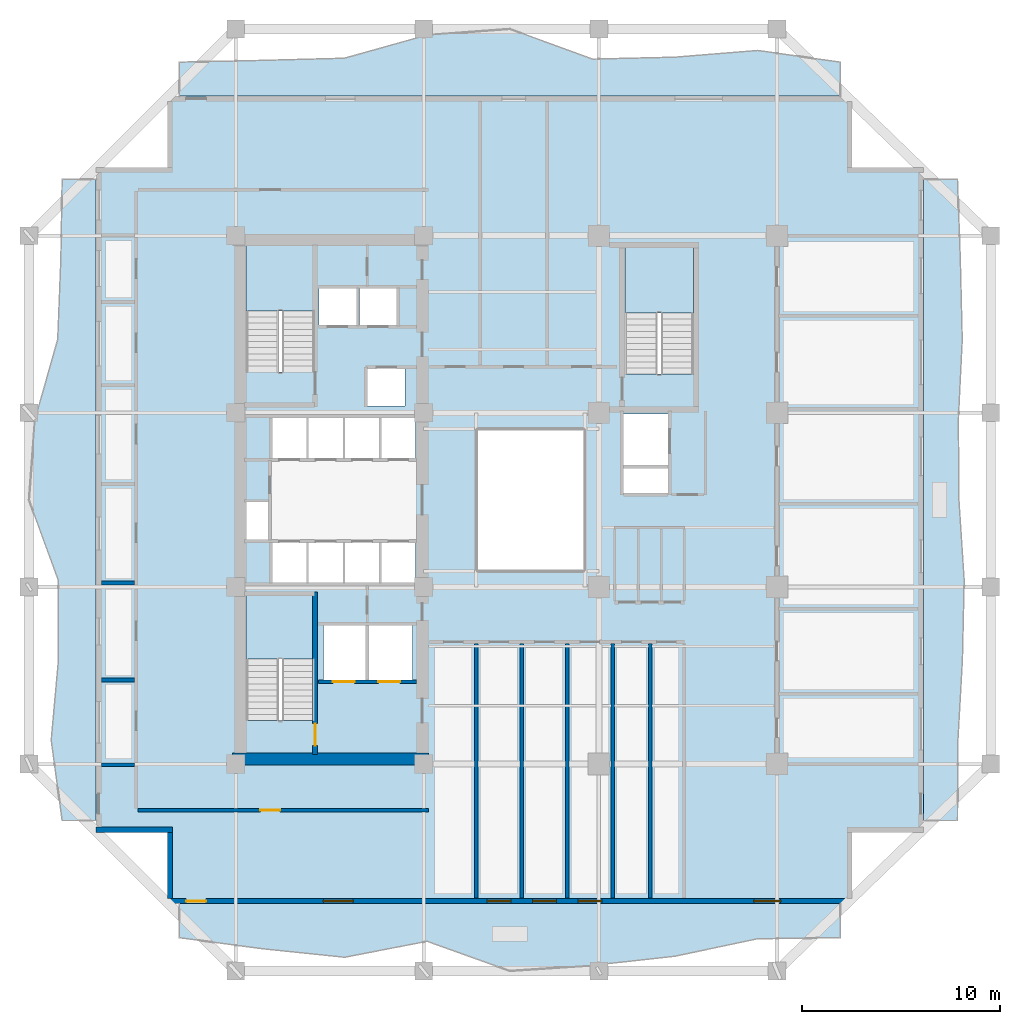
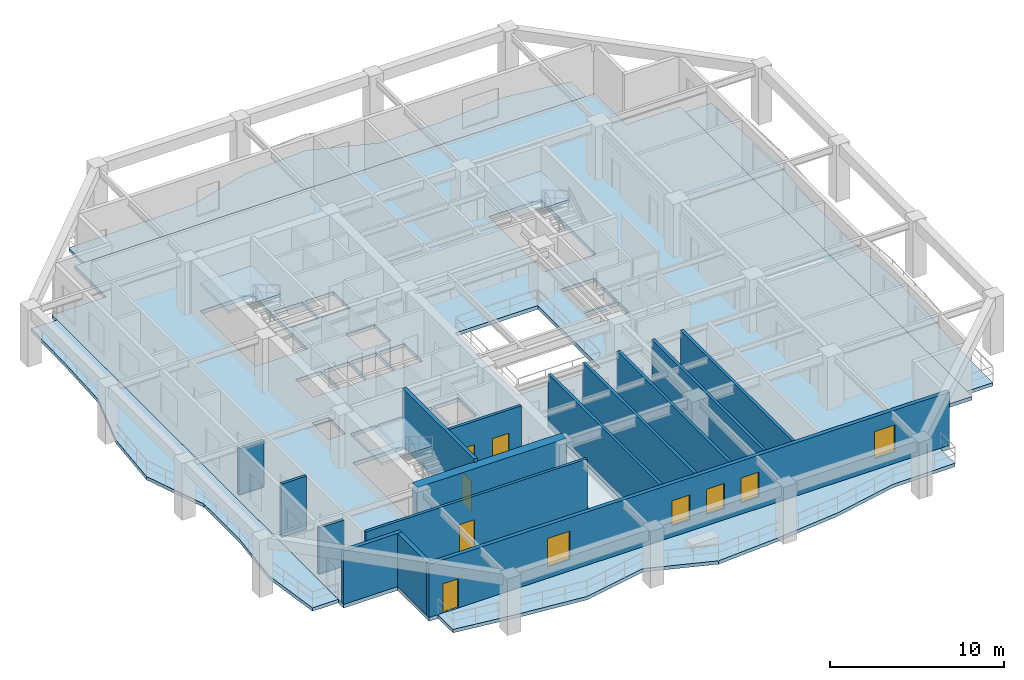
# One storey, part 2 of 11: 15 walls, 8 slabs, 5 doors, 5 windows, 10 openings, 3 elements without a shape of their own.
"""IFC4 building model written with IfcOpenShell, lengths in metres."""

from ifc_helpers import new_model, si_unit, direction, frame, frame_2d, origin, place, context, subcontext, project, spatial, polyline, rectangle, outline, extrude, material, layer, layer_set, type_object, element, fill, aggregate, save


model = new_model("IFC4")

# Units and contexts
model_context = context("Model", 3, precision=1e-05, world=origin(), true_north=direction((0.0, 1.0)))
body_context = subcontext(model_context, "Body", "Model", "MODEL_VIEW")
ifc_project = project(units=[si_unit("LENGTHUNIT", "METRE"), si_unit("AREAUNIT", "SQUARE_METRE"), si_unit("VOLUMEUNIT", "CUBIC_METRE"), si_unit("PLANEANGLEUNIT", "RADIAN"), si_unit("MASSUNIT", "GRAM", prefix="KILO")], contexts=[model_context])

# Site, building, storey
site_placement = place(None, origin())
site = spatial("IfcSite", under=ifc_project, at=site_placement, CompositionType="ELEMENT")
building_placement = place(site_placement, origin())
building = spatial("IfcBuilding", under=site, at=building_placement, Name="Kundavana Baori Tower", CompositionType="ELEMENT")
storey_placement = place(building_placement, frame((0.0, 0.0, 82.0)))
storey = spatial("IfcBuildingStorey", under=building, at=storey_placement, Name="L19", CompositionType="ELEMENT", Elevation=82.0)

# Slab
ifc_material_1 = material(Name="Concrete C40/50", Category="concrete")
ifc_layer_1 = layer(ifc_material_1, 0.260009765625, Name="SLB-FLR-260")
ifc_layer_set_1 = layer_set([ifc_layer_1], Name="Concrete C40/50")
slab_type_1 = type_object("IfcSlabType", Name="SLB-FLR-260", PredefinedType="FLOOR", material=ifc_layer_set_1)
slab_1_placement = place(storey_placement, frame((0.0, 0.0, -0.260009765625)))
element("IfcSlab", 1, at=slab_1_placement, inside=storey, type_object=slab_type_1, Name="L19 Structural Floor Slab", PredefinedType="FLOOR", context=body_context, shape_type="SweptSolid", body=[
    extrude(outline(polyline([(12.0, 8.199951171875), (46.60009765625, 8.199951171875), (46.60009765625, 11.800048828125), (50.199951171875, 11.800048828125), (50.199951171875, 45.39990234375), (46.60009765625, 45.39990234375), (46.60009765625, 49.0), (12.0, 49.0), (12.0, 45.39990234375), (8.39990234375, 45.39990234375), (8.39990234375, 11.800048828125), (12.0, 11.800048828125), (12.0, 8.199951171875)]), holes=[polyline([(19.43994140625, 17.4619140625), (19.43994140625, 23.85009765625), (15.97998046875, 23.85009765625), (15.97998046875, 17.4619140625), (19.43994140625, 17.4619140625)]), polyline([(19.43994140625, 35.06201171875), (19.43994140625, 41.449951171875), (15.97998046875, 41.449951171875), (15.97998046875, 35.06201171875), (19.43994140625, 35.06201171875)]), polyline([(38.580078125, 34.9619140625), (38.580078125, 41.35009765625), (35.1201171875, 41.35009765625), (35.1201171875, 34.9619140625), (38.580078125, 34.9619140625)]), polyline([(17.300048828125, 24.39990234375), (19.02001953125, 24.39990234375), (19.02001953125, 26.449951171875), (17.300048828125, 26.449951171875), (17.300048828125, 24.39990234375)]), polyline([(19.139892578125, 24.39990234375), (20.860107421875, 24.39990234375), (20.860107421875, 26.449951171875), (19.139892578125, 26.449951171875), (19.139892578125, 24.39990234375)]), polyline([(20.97998046875, 24.39990234375), (22.699951171875, 24.39990234375), (22.699951171875, 26.449951171875), (20.97998046875, 26.449951171875), (20.97998046875, 24.39990234375)]), polyline([(22.820068359375, 24.39990234375), (24.5400390625, 24.39990234375), (24.5400390625, 26.449951171875), (22.820068359375, 26.449951171875), (22.820068359375, 24.39990234375)]), polyline([(17.300048828125, 30.699951171875), (19.02001953125, 30.699951171875), (19.02001953125, 32.75), (17.300048828125, 32.75), (17.300048828125, 30.699951171875)]), polyline([(19.139892578125, 30.699951171875), (20.860107421875, 30.699951171875), (20.860107421875, 32.75), (19.139892578125, 32.75), (19.139892578125, 30.699951171875)]), polyline([(20.97998046875, 30.699951171875), (22.699951171875, 30.699951171875), (22.699951171875, 32.75), (20.97998046875, 32.75), (20.97998046875, 30.699951171875)]), polyline([(22.820068359375, 30.699951171875), (24.5400390625, 30.699951171875), (24.5400390625, 32.75), (22.820068359375, 32.75), (22.820068359375, 30.699951171875)]), polyline([(19.64990234375, 37.39990234375), (21.550048828125, 37.39990234375), (21.550048828125, 39.300048828125), (19.64990234375, 39.300048828125), (19.64990234375, 37.39990234375)]), polyline([(21.699951171875, 37.39990234375), (23.60009765625, 37.39990234375), (23.60009765625, 39.300048828125), (21.699951171875, 39.300048828125), (21.699951171875, 37.39990234375)]), polyline([(22.10009765625, 33.35009765625), (24.0, 33.35009765625), (24.0, 35.25), (22.10009765625, 35.25), (22.10009765625, 33.35009765625)]), polyline([(19.8798828125, 19.5), (22.02001953125, 19.5), (22.02001953125, 22.25), (19.8798828125, 22.25), (19.8798828125, 19.5)]), polyline([(22.179931640625, 19.5), (24.3798828125, 19.5), (24.3798828125, 22.25), (22.179931640625, 22.25), (22.179931640625, 19.5)]), polyline([(35.050048828125, 30.35009765625), (37.300048828125, 30.35009765625), (37.300048828125, 32.949951171875), (35.050048828125, 32.949951171875), (35.050048828125, 30.35009765625)]), polyline([(15.949951171875, 26.60009765625), (17.080078125, 26.60009765625), (17.080078125, 28.5), (15.949951171875, 28.5), (15.949951171875, 26.60009765625)]), polyline([(35.050048828125, 28.949951171875), (37.300048828125, 28.949951171875), (37.300048828125, 30.199951171875), (35.050048828125, 30.199951171875), (35.050048828125, 28.949951171875)]), polyline([(27.60009765625, 25.0), (33.10009765625, 25.0), (33.10009765625, 32.199951171875), (27.60009765625, 32.199951171875), (27.60009765625, 25.0)])]), origin(), (0.0, 0.0, 1.0), 0.260009765625),
])

# Stair, slab
ifc_material_2 = material(Name="Concrete C40/50", Category="concrete")
stair_type = type_object("IfcStairType", Name="STR-DOG-1650", PredefinedType="HALF_TURN_STAIR", material=ifc_material_2)
stair_1_placement = place(storey_placement, origin())
stair_1 = element("IfcStair", 2, at=stair_1_placement, inside=storey, type_object=stair_type, Name="L19 Protected Exit Stair ST1", PredefinedType="HALF_TURN_STAIR")
ifc_material_3 = material(Name="Concrete C40/50", Category="concrete")
ifc_layer_2 = layer(ifc_material_3, 0.199951171875, Name="SLB-LND-200")
ifc_layer_set_2 = layer_set([ifc_layer_2], Name="Concrete C40/50")
slab_type_2 = type_object("IfcSlabType", Name="SLB-LND-200", PredefinedType="LANDING", material=ifc_layer_set_2)
slab_2_placement = place(storey_placement, frame((0.0, 0.0, 1.800048828125)))
slab_2 = element("IfcSlab", 3, at=slab_2_placement, type_object=slab_type_2, Name="ST1 landing 1", PredefinedType="LANDING", context=body_context, shape_type="SweptSolid", body=[
    extrude(outline(polyline([(19.43994140625, 20.550048828125), (19.43994140625, 23.85009765625), (15.97998046875, 23.85009765625), (15.97998046875, 20.550048828125), (19.43994140625, 20.550048828125)])), origin(), (0.0, 0.0, 1.0), 0.199951171875),
])
aggregate(stair_1, [slab_2])

stair_2_placement = place(storey_placement, origin())
stair_2 = element("IfcStair", 4, at=stair_2_placement, inside=storey, type_object=stair_type, Name="L19 Protected Exit Stair ST2", PredefinedType="HALF_TURN_STAIR")
slab_3_placement = place(storey_placement, frame((0.0, 0.0, 1.800048828125)))
slab_3 = element("IfcSlab", 5, at=slab_3_placement, type_object=slab_type_2, Name="ST2 landing 1", PredefinedType="LANDING", context=body_context, shape_type="SweptSolid", body=[
    extrude(outline(polyline([(19.43994140625, 38.14990234375), (19.43994140625, 41.449951171875), (15.97998046875, 41.449951171875), (15.97998046875, 38.14990234375), (19.43994140625, 38.14990234375)])), origin(), (0.0, 0.0, 1.0), 0.199951171875),
])
aggregate(stair_2, [slab_3])

stair_3_placement = place(storey_placement, origin())
stair_3 = element("IfcStair", 6, at=stair_3_placement, inside=storey, type_object=stair_type, Name="L19 Protected Exit Stair ST3", PredefinedType="HALF_TURN_STAIR")
slab_4_placement = place(storey_placement, frame((0.0, 0.0, 1.800048828125)))
slab_4 = element("IfcSlab", 7, at=slab_4_placement, type_object=slab_type_2, Name="ST3 landing 1", PredefinedType="LANDING", context=body_context, shape_type="SweptSolid", body=[
    extrude(outline(polyline([(38.580078125, 38.050048828125), (38.580078125, 41.35009765625), (35.1201171875, 41.35009765625), (35.1201171875, 38.050048828125), (38.580078125, 38.050048828125)])), origin(), (0.0, 0.0, 1.0), 0.199951171875),
])
aggregate(stair_3, [slab_4])

# Slabs
ifc_material_4 = material(Name="Concrete C40/50", Category="concrete")
ifc_layer_3 = layer(ifc_material_4, 0.239990234375, Name="SLB-LOG-240")
ifc_layer_set_3 = layer_set([ifc_layer_3], Name="Concrete C40/50")
slab_type_3 = type_object("IfcSlabType", Name="SLB-LOG-240", PredefinedType="FLOOR", material=ifc_layer_set_3)
slab_5_placement = place(storey_placement, frame((0.0, 0.0, -0.239990234375)))
element("IfcSlab", 8, at=slab_5_placement, inside=storey, type_object=slab_type_3, Name="L19 Planted Loggia Balcony Slab S", PredefinedType="FLOOR", context=body_context, shape_type="SweptSolid", body=[
    extrude(outline(polyline([(12.60009765625, 8.199951171875), (46.0, 8.199951171875), (46.0, 6.47998046875), (41.824951171875, 6.427001953125), (37.64990234375, 5.5439453125), (33.47509765625, 5.08203125), (29.300048828125, 4.800048828125), (25.125, 6.298095703125), (20.949951171875, 5.490966796875), (16.77490234375, 5.925048828125), (12.60009765625, 6.47998046875), (12.60009765625, 8.199951171875)])), origin(), (0.0, 0.0, 1.0), 0.239990234375),
])
slab_6_placement = place(storey_placement, frame((0.0, 0.0, -0.239990234375)))
element("IfcSlab", 9, at=slab_6_placement, inside=storey, type_object=slab_type_3, Name="L19 Planted Loggia Balcony Slab E", PredefinedType="FLOOR", context=body_context, shape_type="SweptSolid", body=[
    extrude(outline(polyline([(50.199951171875, 12.39990234375), (50.199951171875, 44.800048828125), (51.919921875, 44.800048828125), (52.06396484375, 40.75), (52.160888671875, 36.699951171875), (51.964111328125, 32.64990234375), (51.992919921875, 28.60009765625), (52.259033203125, 24.550048828125), (52.1689453125, 20.5), (51.94189453125, 16.449951171875), (51.919921875, 12.39990234375), (50.199951171875, 12.39990234375)])), origin(), (0.0, 0.0, 1.0), 0.239990234375),
])
slab_7_placement = place(storey_placement, frame((0.0, 0.0, -0.239990234375)))
element("IfcSlab", 10, at=slab_7_placement, inside=storey, type_object=slab_type_3, Name="L19 Planted Loggia Balcony Slab N", PredefinedType="FLOOR", context=body_context, shape_type="SweptSolid", body=[
    extrude(outline(polyline([(46.0, 49.0), (12.60009765625, 49.0), (12.60009765625, 50.719970703125), (16.77490234375, 50.80810546875), (20.949951171875, 50.9189453125), (25.125, 52.090087890625), (29.300048828125, 52.39990234375), (33.47509765625, 50.8740234375), (37.64990234375, 50.971923828125), (41.824951171875, 51.31005859375), (46.0, 50.719970703125), (46.0, 49.0)])), origin(), (0.0, 0.0, 1.0), 0.239990234375),
])
slab_8_placement = place(storey_placement, frame((0.0, 0.0, -0.239990234375)))
element("IfcSlab", 11, at=slab_8_placement, inside=storey, type_object=slab_type_3, Name="L19 Planted Loggia Balcony Slab W", PredefinedType="FLOOR", context=body_context, shape_type="SweptSolid", body=[
    extrude(outline(polyline([(8.39990234375, 44.800048828125), (8.39990234375, 12.39990234375), (6.679931640625, 12.39990234375), (6.126953125, 16.449951171875), (6.489990234375, 20.5), (6.48291015625, 24.550048828125), (5.0, 28.60009765625), (5.304931640625, 32.64990234375), (6.455078125, 36.699951171875), (6.614013671875, 40.75), (6.679931640625, 44.800048828125), (8.39990234375, 44.800048828125)])), origin(), (0.0, 0.0, 1.0), 0.239990234375),
])

# Wall, opening, door
ifc_material_5 = material(Name="Concrete C50/60", Category="concrete")
ifc_layer_4 = layer(ifc_material_5, 0.39990234375, Name="WL-CORE-400")
ifc_layer_set_4 = layer_set([ifc_layer_4], Name="Concrete C50/60")
wall_type_1 = type_object("IfcWallType", Name="WL-CORE-400", PredefinedType="SHEAR", material=ifc_layer_set_4)
wall_1_placement = place(storey_placement, frame((19.4599609375, 15.739990234375, 0.0), z_axis=(0.0, 0.0, 1.0), x_axis=(0.0, 1.0, 0.0)))
wall_1 = element("IfcWall", 12, at=wall_1_placement, inside=storey, type_object=wall_type_1, Name="WL-L19-ST1-E", PredefinedType="SHEAR", context=body_context, shape_type="SweptSolid", body=[
    extrude(rectangle(XDim=8.199951171875, YDim=0.239990234375, at=frame_2d((4.10009765625, 0.0))), origin(), (0.0, 0.0, 1.0), 4.0),
])
opening_1_placement = place(wall_1_placement, frame((0.449951171875, 0.0, 0.0)))
opening_1 = element("IfcOpeningElement", 13, at=opening_1_placement, cuts=wall_1, Name="Opening FD-110", PredefinedType="OPENING", context=body_context, shape_type="SweptSolid", body=[
    extrude(rectangle(XDim=1.10009765625, YDim=2.10009765625, at=frame_2d((0.550048828125, 1.050048828125))), frame((0.0, 0.1298828125, 0.0), z_axis=(0.0, -1.0, 0.0), x_axis=(1.0, 0.0, 0.0)), (0.0, 0.0, 1.0), 0.260009765625),
])
ifc_material_6 = material(Name="Galvanised Steel Fire-Rated Door Leaf", Category="steel")
door_type_1 = type_object("IfcDoorType", Name="DR-FD120-1100", OperationType="NOTDEFINED", PredefinedType="DOOR", material=ifc_material_6)
door_1_placement = place(opening_1_placement, origin())
door_1 = element("IfcDoor", 14, at=door_1_placement, inside=storey, type_object=door_type_1, Name="DR-L19-ST1", OperationType="SINGLE_SWING_LEFT", OverallHeight=2.10009765625, OverallWidth=1.10009765625, PredefinedType="DOOR", context=body_context, shape_type="SweptSolid", body=[
    extrude(rectangle(XDim=1.10009765625, YDim=2.10009765625, at=frame_2d((0.550048828125, 1.050048828125))), frame((0.0, 0.02490234375, 0.0), z_axis=(0.0, -1.0, 0.0), x_axis=(1.0, 0.0, 0.0)), (0.0, 0.0, 1.0), 0.050048828125),
])
fill(opening_1, door_1)

# Wall
ifc_material_7 = material(Name="Concrete C60/75", Category="concrete")
ifc_layer_5 = layer(ifc_material_7, 0.60009765625, Name="WL-CORE-600")
ifc_layer_set_5 = layer_set([ifc_layer_5], Name="Concrete C60/75")
wall_type_2 = type_object("IfcWallType", Name="WL-CORE-600", PredefinedType="SHEAR", material=ifc_layer_set_5)
wall_2_placement = place(storey_placement, frame((15.300048828125, 15.510009765625, 0.0), z_axis=(0.0, 0.0, 1.0), x_axis=(1.0, 0.0, 0.0)))
element("IfcWall", 15, at=wall_2_placement, inside=storey, type_object=wall_type_2, Name="L19 Offset Core South Shear Wall", PredefinedType="SHEAR", context=body_context, shape_type="SweptSolid", body=[
    extrude(rectangle(XDim=9.8798828125, YDim=0.60009765625, at=frame_2d((4.93994140625, 0.0))), origin(), (0.0, 0.0, 1.0), 3.739990234375),
])

# Wall, openings, door, windows
ifc_material_8 = material(Name="Kiln-Fired Terracotta Brick-Slip Masonry on Concrete C40/50", Category="masonry")
ifc_layer_6 = layer(ifc_material_8, 0.260009765625, Name="WL-EXT-BRK-260")
ifc_layer_set_6 = layer_set([ifc_layer_6], Name="Kiln-Fired Terracotta Brick-Slip Masonry on Concrete C40/50")
wall_type_3 = type_object("IfcWallType", Name="WL-EXT-BRK-260", PredefinedType="SOLIDWALL", material=ifc_layer_set_6)
wall_3_placement = place(storey_placement, frame((12.0, 8.330078125, 0.0), z_axis=(0.0, 0.0, 1.0), x_axis=(1.0, 0.0, 0.0)))
wall_3 = element("IfcWall", 16, at=wall_3_placement, inside=storey, type_object=wall_type_3, Name="L19 Exterior Insulated Facade Wall 01", PredefinedType="SOLIDWALL", context=body_context, shape_type="SweptSolid", body=[
    extrude(rectangle(XDim=34.60009765625, YDim=0.260009765625, at=frame_2d((17.300048828125, 0.0))), origin(), (0.0, 0.0, 1.0), 3.739990234375),
])
opening_2_placement = place(wall_3_placement, frame((0.949951171875, 0.0, 0.0)))
opening_2 = element("IfcOpeningElement", 17, at=opening_2_placement, cuts=wall_3, Name="Opening BD-1", PredefinedType="OPENING", context=body_context, shape_type="SweptSolid", body=[
    extrude(rectangle(XDim=1.0, YDim=2.050048828125, at=frame_2d((0.5, 1.02490234375))), frame((0.0, 0.14013671875, 0.0), z_axis=(0.0, -1.0, 0.0), x_axis=(1.0, 0.0, 0.0)), (0.0, 0.0, 1.0), 0.280029296875),
])
opening_3_placement = place(wall_3_placement, frame((7.8798828125, 0.0, 0.800048828125)))
opening_3 = element("IfcOpeningElement", 18, at=opening_3_placement, cuts=wall_3, Name="Opening W-02", PredefinedType="OPENING", context=body_context, shape_type="SweptSolid", body=[
    extrude(rectangle(XDim=1.5, YDim=2.0, at=frame_2d((0.75, 1.0))), frame((0.0, 0.14013671875, 0.0), z_axis=(0.0, -1.0, 0.0), x_axis=(1.0, 0.0, 0.0)), (0.0, 0.0, 1.0), 0.280029296875),
])
opening_4_placement = place(wall_3_placement, frame((16.14990234375, 0.0, 0.800048828125)))
opening_4 = element("IfcOpeningElement", 19, at=opening_4_placement, cuts=wall_3, Name="Opening W-03", PredefinedType="OPENING", context=body_context, shape_type="SweptSolid", body=[
    extrude(rectangle(XDim=1.199951171875, YDim=1.75, at=frame_2d((0.60009765625, 0.875))), frame((0.0, 0.14013671875, 0.0), z_axis=(0.0, -1.0, 0.0), x_axis=(1.0, 0.0, 0.0)), (0.0, 0.0, 1.0), 0.280029296875),
])
opening_5_placement = place(wall_3_placement, frame((18.449951171875, 0.0, 0.800048828125)))
opening_5 = element("IfcOpeningElement", 20, at=opening_5_placement, cuts=wall_3, Name="Opening W-03", PredefinedType="OPENING", context=body_context, shape_type="SweptSolid", body=[
    extrude(rectangle(XDim=1.199951171875, YDim=1.75, at=frame_2d((0.60009765625, 0.875))), frame((0.0, 0.14013671875, 0.0), z_axis=(0.0, -1.0, 0.0), x_axis=(1.0, 0.0, 0.0)), (0.0, 0.0, 1.0), 0.280029296875),
])
opening_6_placement = place(wall_3_placement, frame((20.75, 0.0, 0.800048828125)))
opening_6 = element("IfcOpeningElement", 21, at=opening_6_placement, cuts=wall_3, Name="Opening W-03", PredefinedType="OPENING", context=body_context, shape_type="SweptSolid", body=[
    extrude(rectangle(XDim=1.199951171875, YDim=1.75, at=frame_2d((0.60009765625, 0.875))), frame((0.0, 0.14013671875, 0.0), z_axis=(0.0, -1.0, 0.0), x_axis=(1.0, 0.0, 0.0)), (0.0, 0.0, 1.0), 0.280029296875),
])
opening_7_placement = place(wall_3_placement, frame((29.6298828125, 0.0, 0.800048828125)))
opening_7 = element("IfcOpeningElement", 22, at=opening_7_placement, cuts=wall_3, Name="Opening W-07", PredefinedType="OPENING", context=body_context, shape_type="SweptSolid", body=[
    extrude(rectangle(XDim=1.35009765625, YDim=1.89990234375, at=frame_2d((0.675048828125, 0.949951171875))), frame((0.0, 0.14013671875, 0.0), z_axis=(0.0, -1.0, 0.0), x_axis=(1.0, 0.0, 0.0)), (0.0, 0.0, 1.0), 0.280029296875),
])
ifc_material_9 = material(Name="Architectural Patinated Bronze Metalwork")
door_type_2 = type_object("IfcDoorType", Name="DR-EXT-LOG-1000", OperationType="NOTDEFINED", PredefinedType="DOOR", material=ifc_material_9)
door_2_placement = place(opening_2_placement, frame((1.0, 0.0, 0.0), z_axis=(0.0, 0.0, 1.0), x_axis=(-1.0, 0.0, 0.0)))
door_2 = element("IfcDoor", 23, at=door_2_placement, inside=storey, type_object=door_type_2, Name="L19 Loggia Balcony Access Door S", OperationType="SINGLE_SWING_LEFT", OverallHeight=2.050048828125, OverallWidth=1.0, PredefinedType="DOOR", context=body_context, shape_type="SweptSolid", body=[
    extrude(rectangle(XDim=1.0, YDim=2.050048828125, at=frame_2d((0.5, 1.02490234375))), frame((0.0, 0.02490234375, 0.0), z_axis=(0.0, -1.0, 0.0), x_axis=(1.0, 0.0, 0.0)), (0.0, 0.0, 1.0), 0.050048828125),
])
fill(opening_2, door_2)
ifc_material_10 = material(Name="Double-Glazed Solar-Control Low-E Insulated Glass", Category="glass")
window_type_1 = type_object("IfcWindowType", Name="WIN-LOG-1200x1750", PartitioningType="SINGLE_PANEL", PredefinedType="WINDOW", material=ifc_material_10)
window_1_placement = place(opening_4_placement, origin())
window_1 = element("IfcWindow", 24, at=window_1_placement, inside=storey, type_object=window_type_1, Name="L19 Recessed Loggia Window S-2", OverallHeight=1.75, OverallWidth=1.199951171875, PartitioningType="SINGLE_PANEL", PredefinedType="WINDOW", context=body_context, shape_type="SweptSolid", body=[
    extrude(rectangle(XDim=1.199951171875, YDim=1.75, at=frame_2d((0.60009765625, 0.875))), frame((0.0, 0.030029296875, 0.0), z_axis=(0.0, -1.0, 0.0), x_axis=(1.0, 0.0, 0.0)), (0.0, 0.0, 1.0), 0.06005859375),
])
fill(opening_4, window_1)
window_2_placement = place(opening_5_placement, origin())
window_2 = element("IfcWindow", 25, at=window_2_placement, inside=storey, type_object=window_type_1, Name="L19 Recessed Loggia Window S-3", OverallHeight=1.75, OverallWidth=1.199951171875, PartitioningType="SINGLE_PANEL", PredefinedType="WINDOW", context=body_context, shape_type="SweptSolid", body=[
    extrude(rectangle(XDim=1.199951171875, YDim=1.75, at=frame_2d((0.60009765625, 0.875))), frame((0.0, 0.030029296875, 0.0), z_axis=(0.0, -1.0, 0.0), x_axis=(1.0, 0.0, 0.0)), (0.0, 0.0, 1.0), 0.06005859375),
])
fill(opening_5, window_2)
window_3_placement = place(opening_6_placement, origin())
window_3 = element("IfcWindow", 26, at=window_3_placement, inside=storey, type_object=window_type_1, Name="L19 Recessed Loggia Window S-4", OverallHeight=1.75, OverallWidth=1.199951171875, PartitioningType="SINGLE_PANEL", PredefinedType="WINDOW", context=body_context, shape_type="SweptSolid", body=[
    extrude(rectangle(XDim=1.199951171875, YDim=1.75, at=frame_2d((0.60009765625, 0.875))), frame((0.0, 0.030029296875, 0.0), z_axis=(0.0, -1.0, 0.0), x_axis=(1.0, 0.0, 0.0)), (0.0, 0.0, 1.0), 0.06005859375),
])
fill(opening_6, window_3)
ifc_material_11 = material(Name="Double-Glazed Solar-Control Low-E Insulated Glass", Category="glass")
window_type_2 = type_object("IfcWindowType", Name="WIN-LOG-1350x1900", PartitioningType="SINGLE_PANEL", PredefinedType="WINDOW", material=ifc_material_11)
window_4_placement = place(opening_7_placement, origin())
window_4 = element("IfcWindow", 27, at=window_4_placement, inside=storey, type_object=window_type_2, Name="L19 Recessed Loggia Window S-5", OverallHeight=1.89990234375, OverallWidth=1.35009765625, PartitioningType="SINGLE_PANEL", PredefinedType="WINDOW", context=body_context, shape_type="SweptSolid", body=[
    extrude(rectangle(XDim=1.35009765625, YDim=1.89990234375, at=frame_2d((0.675048828125, 0.949951171875))), frame((0.0, 0.030029296875, 0.0), z_axis=(0.0, -1.0, 0.0), x_axis=(1.0, 0.0, 0.0)), (0.0, 0.0, 1.0), 0.06005859375),
])
fill(opening_7, window_4)
ifc_material_12 = material(Name="Double-Glazed Solar-Control Low-E Insulated Glass", Category="glass")
window_type_3 = type_object("IfcWindowType", Name="WIN-LOG-1500x2000", PartitioningType="SINGLE_PANEL", PredefinedType="WINDOW", material=ifc_material_12)
window_5_placement = place(opening_3_placement, origin())
window_5 = element("IfcWindow", 28, at=window_5_placement, inside=storey, type_object=window_type_3, Name="L19 Recessed Loggia Window S-1", OverallHeight=2.0, OverallWidth=1.5, PartitioningType="SINGLE_PANEL", PredefinedType="WINDOW", context=body_context, shape_type="SweptSolid", body=[
    extrude(rectangle(XDim=1.5, YDim=2.0, at=frame_2d((0.75, 1.0))), frame((0.0, 0.030029296875, 0.0), z_axis=(0.0, -1.0, 0.0), x_axis=(1.0, 0.0, 0.0)), (0.0, 0.0, 1.0), 0.06005859375),
])
fill(opening_3, window_5)

# Walls
wall_4_placement = place(storey_placement, frame((8.39990234375, 11.929931640625, 0.0), z_axis=(0.0, 0.0, 1.0), x_axis=(1.0, 0.0, 0.0)))
element("IfcWall", 29, at=wall_4_placement, inside=storey, type_object=wall_type_3, Name="L19 Exterior Insulated Facade Wall 11", PredefinedType="SOLIDWALL", context=body_context, shape_type="SweptSolid", body=[
    extrude(rectangle(XDim=3.860107421875, YDim=0.260009765625, at=frame_2d((1.93017578125, 0.0))), origin(), (0.0, 0.0, 1.0), 3.739990234375),
])
wall_5_placement = place(storey_placement, frame((12.1298828125, 11.800048828125, 0.0), z_axis=(0.0, 0.0, 1.0), x_axis=(0.0, -1.0, 0.0)))
element("IfcWall", 30, at=wall_5_placement, inside=storey, type_object=wall_type_3, Name="L19 Exterior Insulated Facade Wall 12", PredefinedType="SOLIDWALL", context=body_context, shape_type="SweptSolid", body=[
    extrude(rectangle(XDim=3.340087890625, YDim=0.260009765625, at=frame_2d((1.669921875, 0.0))), origin(), (0.0, 0.0, 1.0), 3.739990234375),
])
ifc_material_13 = material(Name="Autoclaved Aerated Concrete Blockwork Masonry", Category="masonry")
ifc_layer_7 = layer(ifc_material_13, 0.18505859375, Name="WL-PART-180")
ifc_layer_set_7 = layer_set([ifc_layer_7], Name="Autoclaved Aerated Concrete Blockwork Masonry")
wall_type_4 = type_object("IfcWallType", Name="WL-PART-180", PredefinedType="SOLIDWALL", material=ifc_layer_set_7)
wall_6_placement = place(storey_placement, frame((8.679931640625, 15.219970703125, 0.0), z_axis=(0.0, 0.0, 1.0), x_axis=(1.0, 0.0, 0.0)))
element("IfcWall", 31, at=wall_6_placement, inside=storey, type_object=wall_type_4, Name="WL-L19-OWS", PredefinedType="SOLIDWALL", context=body_context, shape_type="SweptSolid", body=[
    extrude(rectangle(XDim=1.66015625, YDim=0.18505859375, at=frame_2d((0.830078125, 0.0))), origin(), (0.0, 0.0, 1.0), 3.239990234375),
])

# Wall, opening, door
wall_7_placement = place(storey_placement, frame((10.5, 12.919921875, 0.0), z_axis=(0.0, 0.0, 1.0), x_axis=(1.0, 0.0, 0.0)))
wall_7 = element("IfcWall", 32, at=wall_7_placement, inside=storey, type_object=wall_type_4, Name="WL-L19-OSC", PredefinedType="SOLIDWALL", context=body_context, shape_type="SweptSolid", body=[
    extrude(rectangle(XDim=14.699951171875, YDim=0.18505859375, at=frame_2d((7.35009765625, 0.0))), origin(), (0.0, 0.0, 1.0), 3.739990234375),
])
opening_8_placement = place(wall_7_placement, frame((6.199951171875, 0.0, 0.0)))
opening_8 = element("IfcOpeningElement", 33, at=opening_8_placement, cuts=wall_7, Name="Opening ID-100", PredefinedType="OPENING", context=body_context, shape_type="SweptSolid", body=[
    extrude(rectangle(XDim=1.0, YDim=2.080078125, at=frame_2d((0.5, 1.0400390625))), frame((0.0, 0.1025390625, 0.0), z_axis=(0.0, -1.0, 0.0), x_axis=(1.0, 0.0, 0.0)), (0.0, 0.0, 1.0), 0.205078125),
])
ifc_material_14 = material(Name="Engineered Teak Solid-Core Timber Veneer", Category="wood")
door_type_3 = type_object("IfcDoorType", Name="DR-INT-1000", OperationType="NOTDEFINED", PredefinedType="DOOR", material=ifc_material_14)
door_3_placement = place(opening_8_placement, frame((1.0, 0.0, 0.0), z_axis=(0.0, 0.0, 1.0), x_axis=(-1.0, 0.0, 0.0)))
door_3 = element("IfcDoor", 34, at=door_3_placement, inside=storey, type_object=door_type_3, Name="DR-L19-OSWC", OperationType="SINGLE_SWING_LEFT", OverallHeight=2.080078125, OverallWidth=1.0, PredefinedType="DOOR", context=body_context, shape_type="SweptSolid", body=[
    extrude(rectangle(XDim=1.0, YDim=2.080078125, at=frame_2d((0.5, 1.0400390625))), frame((0.0, 0.02490234375, 0.0), z_axis=(0.0, -1.0, 0.0), x_axis=(1.0, 0.0, 0.0)), (0.0, 0.0, 1.0), 0.050048828125),
])
fill(opening_8, door_3)

# Walls
wall_8_placement = place(storey_placement, frame((8.679931640625, 19.5, 0.0), z_axis=(0.0, 0.0, 1.0), x_axis=(1.0, 0.0, 0.0)))
element("IfcWall", 35, at=wall_8_placement, inside=storey, type_object=wall_type_4, Name="WL-L19-WD1", PredefinedType="SOLIDWALL", context=body_context, shape_type="SweptSolid", body=[
    extrude(rectangle(XDim=1.66015625, YDim=0.18505859375, at=frame_2d((0.830078125, 0.0))), origin(), (0.0, 0.0, 1.0), 3.739990234375),
])
wall_9_placement = place(storey_placement, frame((8.679931640625, 24.39990234375, 0.0), z_axis=(0.0, 0.0, 1.0), x_axis=(1.0, 0.0, 0.0)))
element("IfcWall", 36, at=wall_9_placement, inside=storey, type_object=wall_type_4, Name="WL-L19-WD2", PredefinedType="SOLIDWALL", context=body_context, shape_type="SweptSolid", body=[
    extrude(rectangle(XDim=1.66015625, YDim=0.18505859375, at=frame_2d((0.830078125, 0.0))), origin(), (0.0, 0.0, 1.0), 3.239990234375),
])
for number, where, z_axis, x_axis, name in (
    (37, (27.60009765625, 8.47998046875, 0.0), (0.0, 0.0, 1.0), (0.0, 1.0, 0.0), "WL-L19-SD1"),
    (38, (29.89990234375, 8.47998046875, 0.0), (0.0, 0.0, 1.0), (0.0, 1.0, 0.0), "WL-L19-SD2"),
    (39, (32.199951171875, 8.47998046875, 0.0), (0.0, 0.0, 1.0), (0.0, 1.0, 0.0), "WL-L19-SD3"),
    (40, (34.5, 8.47998046875, 0.0), (0.0, 0.0, 1.0), (0.0, 1.0, 0.0), "WL-L19-SD4"),
    (41, (36.39990234375, 8.47998046875, 0.0), (0.0, 0.0, 1.0), (0.0, 1.0, 0.0), "WL-L19-SD5"),
):
    element("IfcWall", number, at=place(storey_placement, frame(where, z_axis=z_axis, x_axis=x_axis)), inside=storey, type_object=wall_type_4, Name=name, PredefinedType="SOLIDWALL", context=body_context, shape_type="SweptSolid", body=[
        extrude(rectangle(XDim=12.860107421875, YDim=0.18505859375, at=frame_2d((6.43017578125, 0.0))), origin(), (0.0, 0.0, 1.0), 3.739990234375),
    ])

# Wall, openings, doors
ifc_material_15 = material(Name="Autoclaved Aerated Concrete Blockwork Masonry", Category="masonry")
ifc_layer_8 = layer(ifc_material_15, 0.179931640625, Name="WL-SHAFT-180")
ifc_layer_set_8 = layer_set([ifc_layer_8], Name="Autoclaved Aerated Concrete Blockwork Masonry")
wall_type_5 = type_object("IfcWallType", Name="WL-SHAFT-180", PredefinedType="SOLIDWALL", material=ifc_layer_set_8)
wall_10_placement = place(storey_placement, frame((19.639892578125, 19.419921875, 0.0), z_axis=(0.0, 0.0, 1.0), x_axis=(1.0, 0.0, 0.0)))
wall_10 = element("IfcWall", 42, at=wall_10_placement, inside=storey, type_object=wall_type_5, Name="WL-L19-FFL-S", PredefinedType="SOLIDWALL", context=body_context, shape_type="SweptSolid", body=[
    extrude(rectangle(XDim=4.940185546875, YDim=0.179931640625, at=frame_2d((2.47021484375, 0.0))), origin(), (0.0, 0.0, 1.0), 3.739990234375),
])
opening_9_placement = place(wall_10_placement, frame((0.719970703125, 0.0, 0.0)))
opening_9 = element("IfcOpeningElement", 43, at=opening_9_placement, cuts=wall_10, Name="Opening LD-110", PredefinedType="OPENING", context=body_context, shape_type="SweptSolid", body=[
    extrude(rectangle(XDim=1.10009765625, YDim=2.10009765625, at=frame_2d((0.550048828125, 1.050048828125))), frame((0.0, 0.10009765625, 0.0), z_axis=(0.0, -1.0, 0.0), x_axis=(1.0, 0.0, 0.0)), (0.0, 0.0, 1.0), 0.199951171875),
])
opening_10_placement = place(wall_10_placement, frame((3.02001953125, 0.0, 0.0)))
opening_10 = element("IfcOpeningElement", 44, at=opening_10_placement, cuts=wall_10, Name="Opening LD-110", PredefinedType="OPENING", context=body_context, shape_type="SweptSolid", body=[
    extrude(rectangle(XDim=1.10009765625, YDim=2.10009765625, at=frame_2d((0.550048828125, 1.050048828125))), frame((0.0, 0.10009765625, 0.0), z_axis=(0.0, -1.0, 0.0), x_axis=(1.0, 0.0, 0.0)), (0.0, 0.0, 1.0), 0.199951171875),
])
ifc_material_16 = material(Name="Galvanised Steel Fire-Rated Door Leaf", Category="steel")
door_type_4 = type_object("IfcDoorType", Name="DR-SLIDE-LD1100", OperationType="NOTDEFINED", PredefinedType="DOOR", material=ifc_material_16)
door_4_placement = place(opening_9_placement, origin())
door_4 = element("IfcDoor", 45, at=door_4_placement, inside=storey, type_object=door_type_4, Name="DR-L19-LD-FFL-1", OperationType="DOUBLE_DOOR_SLIDING", OverallHeight=2.10009765625, OverallWidth=1.10009765625, PredefinedType="DOOR", context=body_context, shape_type="SweptSolid", body=[
    extrude(rectangle(XDim=1.10009765625, YDim=2.10009765625, at=frame_2d((0.550048828125, 1.050048828125))), frame((0.0, 0.02490234375, 0.0), z_axis=(0.0, -1.0, 0.0), x_axis=(1.0, 0.0, 0.0)), (0.0, 0.0, 1.0), 0.050048828125),
])
fill(opening_9, door_4)
door_5_placement = place(opening_10_placement, origin())
door_5 = element("IfcDoor", 46, at=door_5_placement, inside=storey, type_object=door_type_4, Name="DR-L19-LD-FFL-2", OperationType="DOUBLE_DOOR_SLIDING", OverallHeight=2.10009765625, OverallWidth=1.10009765625, PredefinedType="DOOR", context=body_context, shape_type="SweptSolid", body=[
    extrude(rectangle(XDim=1.10009765625, YDim=2.10009765625, at=frame_2d((0.550048828125, 1.050048828125))), frame((0.0, 0.02490234375, 0.0), z_axis=(0.0, -1.0, 0.0), x_axis=(1.0, 0.0, 0.0)), (0.0, 0.0, 1.0), 0.050048828125),
])
fill(opening_10, door_5)

save(model, "model.ifc")
